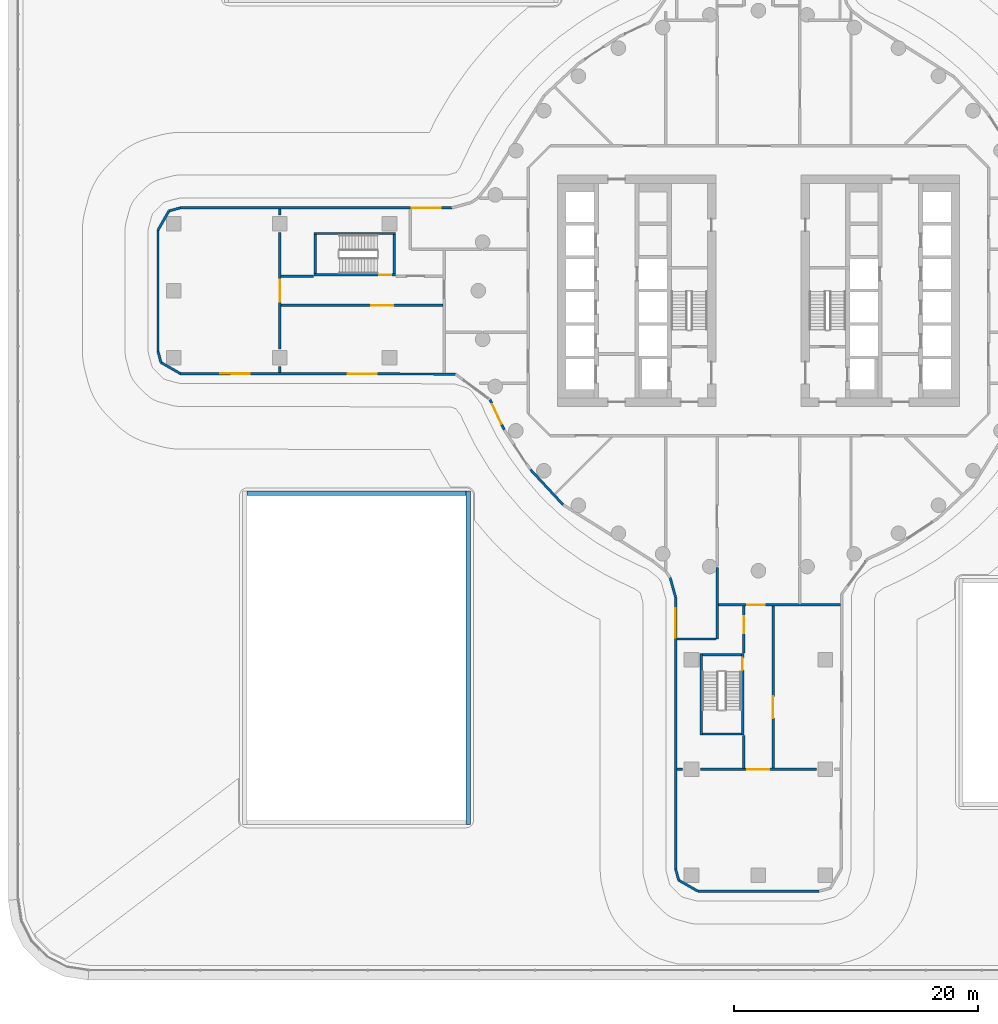
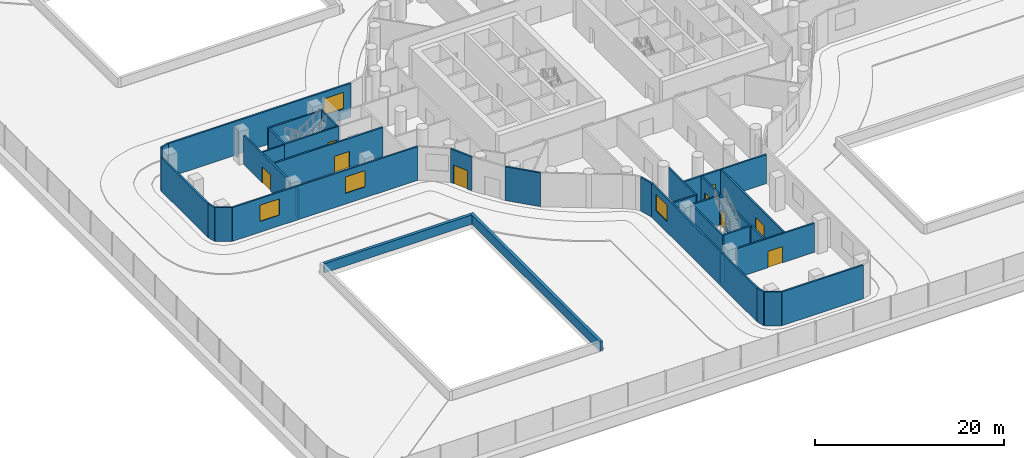
# One storey, part 22 of 37: 37 walls, 9 doors, 4 windows, 13 openings.
"""IFC4 building model written with IfcOpenShell, lengths in metres."""

from ifc_helpers import new_model, si_unit, direction, frame, frame_2d, origin, place, context, subcontext, project, spatial, polyline, rectangle, outline, extrude, material, layer, layer_set, type_object, element, fill, save


model = new_model("IFC4")

# Units and contexts
model_context = context("Model", 3, precision=1e-05, world=origin(), true_north=direction((0.0, 1.0)))
body_context = subcontext(model_context, "Body", "Model", "MODEL_VIEW")
ifc_project = project(units=[si_unit("LENGTHUNIT", "METRE"), si_unit("AREAUNIT", "SQUARE_METRE"), si_unit("VOLUMEUNIT", "CUBIC_METRE"), si_unit("PLANEANGLEUNIT", "RADIAN"), si_unit("MASSUNIT", "GRAM", prefix="KILO")], contexts=[model_context])

# Site, building, storey
site_placement = place(None, origin())
site = spatial("IfcSite", under=ifc_project, at=site_placement, CompositionType="ELEMENT")
building_placement = place(site_placement, origin())
building = spatial("IfcBuilding", under=site, at=building_placement, Name="Tamarind Cross Interchange Tower", CompositionType="ELEMENT")
storey_placement = place(building_placement, frame((0.0, 0.0, 29.5)))
storey = spatial("IfcBuildingStorey", under=building, at=storey_placement, Name="L05", CompositionType="ELEMENT", Elevation=29.5)

# Wall, opening, door
ifc_material_1 = material(Name="Gypsum board partition on steel studs", Category="steel")
ifc_layer_1 = layer(ifc_material_1, 0.199951171875)
ifc_layer_set_1 = layer_set([ifc_layer_1], Name="Gypsum board partition on steel studs")
wall_type_1 = type_object("IfcWallType", Name="Partition 200 mm EI 180", PredefinedType="PARTITIONING", material=ifc_layer_set_1)
wall_1_placement = place(storey_placement, frame((-39.219970703125, -1.199951171875, 0.0), z_axis=(0.0, 0.0, 1.0), x_axis=(1.0, 0.0, 0.0)))
wall_1 = element("IfcWall", 1, at=wall_1_placement, inside=storey, type_object=wall_type_1, Name="Partition L05-005", PredefinedType="PARTITIONING", context=body_context, shape_type="SweptSolid", body=[
    extrude(rectangle(XDim=13.3349609375, YDim=0.199951171875, at=frame_2d((6.66748046875, 0.0))), origin(), (0.0, 0.0, 1.0), 3.760009765625),
])
opening_1_placement = place(wall_1_placement, frame((7.419921875, 0.0, 0.0)))
opening_1 = element("IfcOpeningElement", 2, at=opening_1_placement, cuts=wall_1, Name="Opening D01", PredefinedType="OPENING", context=body_context, shape_type="SweptSolid", body=[
    extrude(rectangle(XDim=1.800048828125, YDim=2.10009765625, at=frame_2d((0.89990234375, 1.050048828125))), frame((0.0, 0.10986328125, 0.0), z_axis=(0.0, -1.0, 0.0), x_axis=(1.0, 0.0, 0.0)), (0.0, 0.0, 1.0), 0.219970703125),
])
ifc_material_2 = material(Name="Fire-resisting door set")
door_type_1 = type_object("IfcDoorType", Name="Interior door 1800 x 2100 FD120S", OperationType="DOUBLE_DOOR_SINGLE_SWING", PredefinedType="DOOR", material=ifc_material_2)
door_1_placement = place(opening_1_placement, frame((1.800048828125, 0.0, 0.0), z_axis=(0.0, 0.0, 1.0), x_axis=(-1.0, 0.0, 0.0)))
door_1 = element("IfcDoor", 3, at=door_1_placement, inside=storey, type_object=door_type_1, Name="Door D01", OperationType="DOUBLE_DOOR_SINGLE_SWING", OverallHeight=2.10009765625, OverallWidth=1.800048828125, PredefinedType="DOOR", context=body_context, shape_type="SweptSolid", body=[
    extrude(rectangle(XDim=1.800048828125, YDim=2.10009765625, at=frame_2d((0.89990234375, 1.050048828125))), frame((0.0, 0.02490234375, 0.0), z_axis=(0.0, -1.0, 0.0), x_axis=(1.0, 0.0, 0.0)), (0.0, 0.0, 1.0), 0.050048828125),
])
fill(opening_1, door_1)

# Walls
wall_2_placement = place(storey_placement, frame((-39.219970703125, 1.199951171875, 0.0), z_axis=(0.0, 0.0, 1.0), x_axis=(1.0, 0.0, 0.0)))
element("IfcWall", 4, at=wall_2_placement, inside=storey, type_object=wall_type_1, Name="Partition L05-008", PredefinedType="PARTITIONING", context=body_context, shape_type="SweptSolid", body=[
    extrude(rectangle(XDim=2.679931640625, YDim=0.199951171875, at=frame_2d((1.33984375, 0.0))), origin(), (0.0, 0.0, 1.0), 3.760009765625),
])
wall_3_placement = place(storey_placement, frame((-6.698974609375, -39.300048828125, 0.0), z_axis=(0.0, 0.0, 1.0), x_axis=(1.0, 0.0, 0.0)))
element("IfcWall", 5, at=wall_3_placement, inside=storey, type_object=wall_type_1, Name="Partition L05-031", PredefinedType="PARTITIONING", context=body_context, shape_type="SweptSolid", body=[
    extrude(rectangle(XDim=0.468994140625, YDim=0.199951171875, at=frame_2d((0.234375, 0.0))), origin(), (0.0, 0.0, 1.0), 3.760009765625),
])

# Wall, opening, door
wall_4_placement = place(storey_placement, frame((-4.77001953125, -39.300048828125, 0.0), z_axis=(0.0, 0.0, 1.0), x_axis=(1.0, 0.0, 0.0)))
wall_4 = element("IfcWall", 6, at=wall_4_placement, inside=storey, type_object=wall_type_1, Name="Partition L05-032", PredefinedType="PARTITIONING", context=body_context, shape_type="SweptSolid", body=[
    extrude(rectangle(XDim=9.5400390625, YDim=0.199951171875, at=frame_2d((4.77001953125, 0.0))), origin(), (0.0, 0.0, 1.0), 3.760009765625),
])
opening_2_placement = place(wall_4_placement, frame((3.8701171875, 0.0, 0.0)))
opening_2 = element("IfcOpeningElement", 7, at=opening_2_placement, cuts=wall_4, Name="Opening D11", PredefinedType="OPENING", context=body_context, shape_type="SweptSolid", body=[
    extrude(rectangle(XDim=1.800048828125, YDim=2.10009765625, at=frame_2d((0.89990234375, 1.050048828125))), frame((0.0, 0.10986328125, 0.0), z_axis=(0.0, -1.0, 0.0), x_axis=(1.0, 0.0, 0.0)), (0.0, 0.0, 1.0), 0.219970703125),
])
door_2_placement = place(opening_2_placement, frame((1.800048828125, 0.0, 0.0), z_axis=(0.0, 0.0, 1.0), x_axis=(-1.0, 0.0, 0.0)))
door_2 = element("IfcDoor", 8, at=door_2_placement, inside=storey, type_object=door_type_1, Name="Door D11", OperationType="DOUBLE_DOOR_SINGLE_SWING", OverallHeight=2.10009765625, OverallWidth=1.800048828125, PredefinedType="DOOR", context=body_context, shape_type="SweptSolid", body=[
    extrude(rectangle(XDim=1.800048828125, YDim=2.10009765625, at=frame_2d((0.89990234375, 1.050048828125))), frame((0.0, 0.02490234375, 0.0), z_axis=(0.0, -1.0, 0.0), x_axis=(1.0, 0.0, 0.0)), (0.0, 0.0, 1.0), 0.050048828125),
])
fill(opening_2, door_2)

# Wall
wall_5_placement = place(storey_placement, frame((-6.698974609375, -28.60009765625, 0.0), z_axis=(0.0, 0.0, 1.0), x_axis=(1.0, 0.0, 0.0)))
element("IfcWall", 9, at=wall_5_placement, inside=storey, type_object=wall_type_1, Name="Partition L05-034", PredefinedType="PARTITIONING", context=body_context, shape_type="SweptSolid", body=[
    extrude(rectangle(XDim=3.2138671875, YDim=0.199951171875, at=frame_2d((1.60693359375, 0.0))), origin(), (0.0, 0.0, 1.0), 3.760009765625),
])

# Wall, opening, door
wall_6_placement = place(storey_placement, frame((-3.31494140625, -25.800048828125, 0.0), z_axis=(0.0, 0.0, 1.0), x_axis=(1.0, 0.0, 0.0)))
wall_6 = element("IfcWall", 10, at=wall_6_placement, inside=storey, type_object=wall_type_1, Name="Partition L05-041", PredefinedType="PARTITIONING", context=body_context, shape_type="SweptSolid", body=[
    extrude(rectangle(XDim=10.056640625, YDim=0.199951171875, at=frame_2d((5.0283203125, 0.0))), origin(), (0.0, 0.0, 1.0), 3.760009765625),
])
opening_3_placement = place(wall_6_placement, frame((2.4150390625, 0.0, 0.0)))
opening_3 = element("IfcOpeningElement", 11, at=opening_3_placement, cuts=wall_6, Name="Opening D16", PredefinedType="OPENING", context=body_context, shape_type="SweptSolid", body=[
    extrude(rectangle(XDim=1.39990234375, YDim=2.10009765625, at=frame_2d((0.699951171875, 1.050048828125))), frame((0.0, 0.10986328125, 0.0), z_axis=(0.0, -1.0, 0.0), x_axis=(1.0, 0.0, 0.0)), (0.0, 0.0, 1.0), 0.219970703125),
])
door_type_2 = type_object("IfcDoorType", Name="Interior door 1400 x 2100 FD120S", OperationType="DOUBLE_DOOR_SINGLE_SWING", PredefinedType="DOOR", material=ifc_material_2)
door_3_placement = place(opening_3_placement, origin())
door_3 = element("IfcDoor", 12, at=door_3_placement, inside=storey, type_object=door_type_2, Name="Door D16", OperationType="DOUBLE_DOOR_SINGLE_SWING", OverallHeight=2.10009765625, OverallWidth=1.39990234375, PredefinedType="DOOR", context=body_context, shape_type="SweptSolid", body=[
    extrude(rectangle(XDim=1.39990234375, YDim=2.10009765625, at=frame_2d((0.699951171875, 1.050048828125))), frame((0.0, 0.02490234375, 0.0), z_axis=(0.0, -1.0, 0.0), x_axis=(1.0, 0.0, 0.0)), (0.0, 0.0, 1.0), 0.050048828125),
])
fill(opening_3, door_3)

# Wall
wall_7_placement = place(storey_placement, frame((-39.300048828125, -6.715087890625, 0.0), z_axis=(0.0, 0.0, 1.0), x_axis=(0.0, 1.0, 0.0)))
element("IfcWall", 13, at=wall_7_placement, inside=storey, type_object=wall_type_1, Name="Partition L05-048", PredefinedType="PARTITIONING", context=body_context, shape_type="SweptSolid", body=[
    extrude(rectangle(XDim=0.485107421875, YDim=0.199951171875, at=frame_2d((0.24267578125, 0.0))), origin(), (0.0, 0.0, 1.0), 3.760009765625),
])

# Wall, opening, door
wall_8_placement = place(storey_placement, frame((-39.300048828125, -4.77001953125, 0.0), z_axis=(0.0, 0.0, 1.0), x_axis=(0.0, 1.0, 0.0)))
wall_8 = element("IfcWall", 14, at=wall_8_placement, inside=storey, type_object=wall_type_1, Name="Partition L05-049", PredefinedType="PARTITIONING", context=body_context, shape_type="SweptSolid", body=[
    extrude(rectangle(XDim=9.5400390625, YDim=0.199951171875, at=frame_2d((4.77001953125, 0.0))), origin(), (0.0, 0.0, 1.0), 3.760009765625),
])
opening_4_placement = place(wall_8_placement, frame((3.8701171875, 0.0, 0.0)))
opening_4 = element("IfcOpeningElement", 15, at=opening_4_placement, cuts=wall_8, Name="Opening D17", PredefinedType="OPENING", context=body_context, shape_type="SweptSolid", body=[
    extrude(rectangle(XDim=1.800048828125, YDim=2.10009765625, at=frame_2d((0.89990234375, 1.050048828125))), frame((0.0, 0.10986328125, 0.0), z_axis=(0.0, -1.0, 0.0), x_axis=(1.0, 0.0, 0.0)), (0.0, 0.0, 1.0), 0.219970703125),
])
door_4_placement = place(opening_4_placement, origin())
door_4 = element("IfcDoor", 16, at=door_4_placement, inside=storey, type_object=door_type_1, Name="Door D17", OperationType="DOUBLE_DOOR_SINGLE_SWING", OverallHeight=2.10009765625, OverallWidth=1.800048828125, PredefinedType="DOOR", context=body_context, shape_type="SweptSolid", body=[
    extrude(rectangle(XDim=1.800048828125, YDim=2.10009765625, at=frame_2d((0.89990234375, 1.050048828125))), frame((0.0, 0.02490234375, 0.0), z_axis=(0.0, -1.0, 0.0), x_axis=(1.0, 0.0, 0.0)), (0.0, 0.0, 1.0), 0.050048828125),
])
fill(opening_4, door_4)

# Walls
wall_9_placement = place(storey_placement, frame((-39.300048828125, 6.22998046875, 0.0), z_axis=(0.0, 0.0, 1.0), x_axis=(0.0, 1.0, 0.0)))
element("IfcWall", 17, at=wall_9_placement, inside=storey, type_object=wall_type_1, Name="Partition L05-050", PredefinedType="PARTITIONING", context=body_context, shape_type="SweptSolid", body=[
    extrude(rectangle(XDim=0.468994140625, YDim=0.199951171875, at=frame_2d((0.234375, 0.0))), origin(), (0.0, 0.0, 1.0), 3.760009765625),
])
wall_10_placement = place(storey_placement, frame((-3.39990234375, -28.60009765625, 0.0), z_axis=(0.0, 0.0, 1.0), x_axis=(0.0, 1.0, 0.0)))
element("IfcWall", 18, at=wall_10_placement, inside=storey, type_object=wall_type_1, Name="Partition L05-058", PredefinedType="PARTITIONING", context=body_context, shape_type="SweptSolid", body=[
    extrude(rectangle(XDim=5.889404296875, YDim=0.199951171875, at=frame_2d((2.94482421875, 0.0))), origin(), (0.0, 0.0, 1.0), 3.760009765625),
])
wall_11_placement = place(storey_placement, frame((-1.199951171875, -39.219970703125, 0.0), z_axis=(0.0, 0.0, 1.0), x_axis=(0.0, 1.0, 0.0)))
element("IfcWall", 19, at=wall_11_placement, inside=storey, type_object=wall_type_1, Name="Partition L05-062", PredefinedType="PARTITIONING", context=body_context, shape_type="SweptSolid", body=[
    extrude(rectangle(XDim=2.679931640625, YDim=0.199951171875, at=frame_2d((1.33984375, 0.0))), origin(), (0.0, 0.0, 1.0), 3.760009765625),
])

# Wall, opening, door
wall_12_placement = place(storey_placement, frame((-1.199951171875, -29.760009765625, 0.0), z_axis=(0.0, 0.0, 1.0), x_axis=(0.0, 1.0, 0.0)))
wall_12 = element("IfcWall", 20, at=wall_12_placement, inside=storey, type_object=wall_type_1, Name="Partition L05-063", PredefinedType="PARTITIONING", context=body_context, shape_type="SweptSolid", body=[
    extrude(rectangle(XDim=3.875, YDim=0.199951171875, at=frame_2d((1.9375, 0.0))), origin(), (0.0, 0.0, 1.0), 3.760009765625),
])
opening_5_placement = place(wall_12_placement, frame((1.64990234375, 0.0, 0.0)))
opening_5 = element("IfcOpeningElement", 21, at=opening_5_placement, cuts=wall_12, Name="Opening D24", PredefinedType="OPENING", context=body_context, shape_type="SweptSolid", body=[
    extrude(rectangle(XDim=1.39990234375, YDim=2.10009765625, at=frame_2d((0.699951171875, 1.050048828125))), frame((0.0, 0.10986328125, 0.0), z_axis=(0.0, -1.0, 0.0), x_axis=(1.0, 0.0, 0.0)), (0.0, 0.0, 1.0), 0.219970703125),
])
door_5_placement = place(opening_5_placement, origin())
door_5 = element("IfcDoor", 22, at=door_5_placement, inside=storey, type_object=door_type_2, Name="Door D24", OperationType="DOUBLE_DOOR_SINGLE_SWING", OverallHeight=2.10009765625, OverallWidth=1.39990234375, PredefinedType="DOOR", context=body_context, shape_type="SweptSolid", body=[
    extrude(rectangle(XDim=1.39990234375, YDim=2.10009765625, at=frame_2d((0.699951171875, 1.050048828125))), frame((0.0, 0.02490234375, 0.0), z_axis=(0.0, -1.0, 0.0), x_axis=(1.0, 0.0, 0.0)), (0.0, 0.0, 1.0), 0.050048828125),
])
fill(opening_5, door_5)

wall_13_placement = place(storey_placement, frame((1.199951171875, -39.219970703125, 0.0), z_axis=(0.0, 0.0, 1.0), x_axis=(0.0, 1.0, 0.0)))
wall_13 = element("IfcWall", 23, at=wall_13_placement, inside=storey, type_object=wall_type_1, Name="Partition L05-065", PredefinedType="PARTITIONING", context=body_context, shape_type="SweptSolid", body=[
    extrude(rectangle(XDim=13.3349609375, YDim=0.199951171875, at=frame_2d((6.66748046875, 0.0))), origin(), (0.0, 0.0, 1.0), 3.760009765625),
])
opening_6_placement = place(wall_13_placement, frame((4.1201171875, 0.0, 0.0)))
opening_6 = element("IfcOpeningElement", 24, at=opening_6_placement, cuts=wall_13, Name="Opening D28", PredefinedType="OPENING", context=body_context, shape_type="SweptSolid", body=[
    extrude(rectangle(XDim=1.800048828125, YDim=2.10009765625, at=frame_2d((0.89990234375, 1.050048828125))), frame((0.0, 0.10986328125, 0.0), z_axis=(0.0, -1.0, 0.0), x_axis=(1.0, 0.0, 0.0)), (0.0, 0.0, 1.0), 0.219970703125),
])
door_6_placement = place(opening_6_placement, frame((1.800048828125, 0.0, 0.0), z_axis=(0.0, 0.0, 1.0), x_axis=(-1.0, 0.0, 0.0)))
door_6 = element("IfcDoor", 25, at=door_6_placement, inside=storey, type_object=door_type_1, Name="Door D28", OperationType="DOUBLE_DOOR_SINGLE_SWING", OverallHeight=2.10009765625, OverallWidth=1.800048828125, PredefinedType="DOOR", context=body_context, shape_type="SweptSolid", body=[
    extrude(rectangle(XDim=1.800048828125, YDim=2.10009765625, at=frame_2d((0.89990234375, 1.050048828125))), frame((0.0, 0.02490234375, 0.0), z_axis=(0.0, -1.0, 0.0), x_axis=(1.0, 0.0, 0.0)), (0.0, 0.0, 1.0), 0.050048828125),
])
fill(opening_6, door_6)

# Walls
ifc_material_3 = material(Name="Precast concrete C40", Category="concrete")
ifc_layer_2 = layer(ifc_material_3, 0.35009765625)
ifc_layer_set_2 = layer_set([ifc_layer_2], Name="Precast concrete C40")
wall_type_2 = type_object("IfcWallType", Name="Podium facade wall", PredefinedType="SOLIDWALL", material=ifc_layer_set_2)
wall_14_placement = place(storey_placement, frame((-42.0, -16.625, 0.0), z_axis=(0.0, 0.0, 1.0), x_axis=(1.0, 0.0, 0.0)))
element("IfcWall", 26, at=wall_14_placement, inside=storey, type_object=wall_type_2, Name="CTW-L05-SWN00", PredefinedType="SOLIDWALL", context=body_context, shape_type="SweptSolid", body=[
    extrude(rectangle(XDim=18.0, YDim=0.35009765625, at=frame_2d((9.0, 0.0))), origin(), (0.0, 0.0, 1.0), 1.199951171875),
])
wall_15_placement = place(storey_placement, frame((-23.824951171875, -43.85009765625, 0.0), z_axis=(0.0, 0.0, 1.0), x_axis=(0.0, 1.0, 0.0)))
element("IfcWall", 27, at=wall_15_placement, inside=storey, type_object=wall_type_2, Name="CTW-L05-SWE00", PredefinedType="SOLIDWALL", context=body_context, shape_type="SweptSolid", body=[
    extrude(rectangle(XDim=27.400146484375, YDim=0.35009765625, at=frame_2d((13.7001953125, 0.0))), origin(), (0.0, 0.0, 1.0), 1.199951171875),
])

# Wall, opening, window
ifc_layer_3 = layer(ifc_material_3, 0.199951171875)
ifc_layer_set_3 = layer_set([ifc_layer_3], Name="Precast concrete C40")
wall_type_3 = type_object("IfcWallType", Name="Refuge level external wall", PredefinedType="SOLIDWALL", material=ifc_layer_set_3)
wall_16_placement = place(storey_placement, frame((-25.181396484375, 6.800048828125, 0.0), z_axis=(0.0, 0.0, 1.0), x_axis=(-1.0, 0.0, 0.0)))
wall_16 = element("IfcWall", 28, at=wall_16_placement, inside=storey, type_object=wall_type_3, Name="RFW-L05-00-0", PredefinedType="SOLIDWALL", context=body_context, shape_type="SweptSolid", body=[
    extrude(rectangle(XDim=22.2998046875, YDim=0.199951171875, at=frame_2d((11.14990234375, 0.0))), origin(), (0.0, 0.0, 1.0), 4.360107421875),
])
opening_7_placement = place(wall_16_placement, frame((0.89990234375, 0.0, 1.39990234375)))
opening_7 = element("IfcOpeningElement", 29, at=opening_7_placement, cuts=wall_16, Name="Opening W3", PredefinedType="OPENING", context=body_context, shape_type="SweptSolid", body=[
    extrude(rectangle(XDim=2.39990234375, YDim=2.10009765625, at=frame_2d((1.199951171875, 1.050048828125))), frame((0.0, 0.10986328125, 0.0), z_axis=(0.0, -1.0, 0.0), x_axis=(1.0, 0.0, 0.0)), (0.0, 0.0, 1.0), 0.219970703125),
])
ifc_material_4 = material(Name="Aluminium and fire-resisting glass", Category="aluminium")
window_type = type_object("IfcWindowType", Name="Refuge rescue window", PartitioningType="DOUBLE_PANEL_VERTICAL", PredefinedType="WINDOW", material=ifc_material_4)
window_1_placement = place(opening_7_placement, origin())
window_1 = element("IfcWindow", 30, at=window_1_placement, inside=storey, type_object=window_type, Name="RSW-L05-00-01", OverallHeight=2.10009765625, OverallWidth=2.39990234375, PartitioningType="SINGLE_PANEL", PredefinedType="WINDOW", context=body_context, shape_type="SweptSolid", body=[
    extrude(rectangle(XDim=2.39990234375, YDim=2.10009765625, at=frame_2d((1.199951171875, 1.050048828125))), frame((0.0, 0.030029296875, 0.0), z_axis=(0.0, -1.0, 0.0), x_axis=(1.0, 0.0, 0.0)), (0.0, 0.0, 1.0), 0.06005859375),
])
fill(opening_7, window_1)

# Walls
wall_17_placement = place(storey_placement, frame((-47.481201171875, 6.800048828125, 0.0), z_axis=(0.0, 0.0, 1.0), x_axis=(-0.96591611198, -0.258855296676, 0.0)))
element("IfcWall", 31, at=wall_17_placement, inside=storey, type_object=wall_type_3, Name="RFW-L05-00-1", PredefinedType="SOLIDWALL", context=body_context, shape_type="SweptSolid", body=[
    extrude(rectangle(XDim=0.955322265625, YDim=0.199951171875, at=frame_2d((0.4775390625, 0.0))), origin(), (0.0, 0.0, 1.0), 4.360107421875),
])
wall_18_placement = place(storey_placement, frame((-48.404052734375, 6.552734375, 0.0), z_axis=(0.0, 0.0, 1.0), x_axis=(-0.496644654848, -0.867953965836, 0.0)))
element("IfcWall", 32, at=wall_18_placement, inside=storey, type_object=wall_type_3, Name="RFW-L05-00-2", PredefinedType="SOLIDWALL", context=body_context, shape_type="SweptSolid", body=[
    extrude(rectangle(XDim=1.8193359375, YDim=0.199951171875, at=frame_2d((0.90966796875, 0.0))), origin(), (0.0, 0.0, 1.0), 4.360107421875),
])
wall_19_placement = place(storey_placement, frame((-49.3076171875, 4.9736328125, 0.0), z_axis=(0.0, 0.0, 1.0), x_axis=(0.0, -1.0, 0.0)))
element("IfcWall", 33, at=wall_19_placement, inside=storey, type_object=wall_type_3, Name="RFW-L05-01-0", PredefinedType="SOLIDWALL", context=body_context, shape_type="SweptSolid", body=[
    extrude(rectangle(XDim=9.947265625, YDim=0.199951171875, at=frame_2d((4.9736328125, 0.0))), origin(), (0.0, 0.0, 1.0), 4.360107421875),
])
wall_20_placement = place(storey_placement, frame((-49.3076171875, -4.9736328125, 0.0), z_axis=(0.0, 0.0, 1.0), x_axis=(0.258855296676, -0.96591611198, 0.0)))
element("IfcWall", 34, at=wall_20_placement, inside=storey, type_object=wall_type_3, Name="RFW-L05-01-1", PredefinedType="SOLIDWALL", context=body_context, shape_type="SweptSolid", body=[
    extrude(rectangle(XDim=0.955322265625, YDim=0.199951171875, at=frame_2d((0.4775390625, 0.0))), origin(), (0.0, 0.0, 1.0), 4.360107421875),
])
wall_21_placement = place(storey_placement, frame((-49.060302734375, -5.896484375, 0.0), z_axis=(0.0, 0.0, 1.0), x_axis=(0.867987059309, -0.496586815041, 0.0)))
element("IfcWall", 35, at=wall_21_placement, inside=storey, type_object=wall_type_3, Name="RFW-L05-01-2", PredefinedType="SOLIDWALL", context=body_context, shape_type="SweptSolid", body=[
    extrude(rectangle(XDim=1.819580078125, YDim=0.199951171875, at=frame_2d((0.90966796875, 0.0))), origin(), (0.0, 0.0, 1.0), 4.360107421875),
])

# Wall, openings, windows
wall_22_placement = place(storey_placement, frame((-47.48095703125, -6.800048828125, 0.0), z_axis=(0.0, 0.0, 1.0), x_axis=(0.999998066603, -0.001966415802, 0.0)))
wall_22 = element("IfcWall", 36, at=wall_22_placement, inside=storey, type_object=wall_type_3, Name="RFW-L05-02-0", PredefinedType="SOLIDWALL", context=body_context, shape_type="SweptSolid", body=[
    extrude(rectangle(XDim=22.59619140625, YDim=0.199951171875, at=frame_2d((11.298095703125, 0.0))), origin(), (0.0, 0.0, 1.0), 4.360107421875),
])
opening_8_placement = place(wall_22_placement, frame((3.300048828125, 0.0, 1.39990234375)))
opening_8 = element("IfcOpeningElement", 37, at=opening_8_placement, cuts=wall_22, Name="Opening W3", PredefinedType="OPENING", context=body_context, shape_type="SweptSolid", body=[
    extrude(rectangle(XDim=2.39990234375, YDim=2.10009765625, at=frame_2d((1.199951171875, 1.050048828125))), frame((0.0, 0.10986328125, 0.0), z_axis=(0.0, -1.0, 0.0), x_axis=(1.0, 0.0, 0.0)), (0.0, 0.0, 1.0), 0.219970703125),
])
opening_9_placement = place(wall_22_placement, frame((13.75, 0.0, 1.39990234375)))
opening_9 = element("IfcOpeningElement", 38, at=opening_9_placement, cuts=wall_22, Name="Opening W3", PredefinedType="OPENING", context=body_context, shape_type="SweptSolid", body=[
    extrude(rectangle(XDim=2.39990234375, YDim=2.10009765625, at=frame_2d((1.199951171875, 1.050048828125))), frame((0.0, 0.10986328125, 0.0), z_axis=(0.0, -1.0, 0.0), x_axis=(1.0, 0.0, 0.0)), (0.0, 0.0, 1.0), 0.219970703125),
])
window_2_placement = place(opening_8_placement, origin())
window_2 = element("IfcWindow", 39, at=window_2_placement, inside=storey, type_object=window_type, Name="RSW-L05-02-01", OverallHeight=2.10009765625, OverallWidth=2.39990234375, PartitioningType="SINGLE_PANEL", PredefinedType="WINDOW", context=body_context, shape_type="SweptSolid", body=[
    extrude(rectangle(XDim=2.39990234375, YDim=2.10009765625, at=frame_2d((1.199951171875, 1.050048828125))), frame((0.0, 0.030029296875, 0.0), z_axis=(0.0, -1.0, 0.0), x_axis=(1.0, 0.0, 0.0)), (0.0, 0.0, 1.0), 0.06005859375),
])
fill(opening_8, window_2)
window_3_placement = place(opening_9_placement, origin())
window_3 = element("IfcWindow", 40, at=window_3_placement, inside=storey, type_object=window_type, Name="RSW-L05-02-02", OverallHeight=2.10009765625, OverallWidth=2.39990234375, PartitioningType="SINGLE_PANEL", PredefinedType="WINDOW", context=body_context, shape_type="SweptSolid", body=[
    extrude(rectangle(XDim=2.39990234375, YDim=2.10009765625, at=frame_2d((1.199951171875, 1.050048828125))), frame((0.0, 0.030029296875, 0.0), z_axis=(0.0, -1.0, 0.0), x_axis=(1.0, 0.0, 0.0)), (0.0, 0.0, 1.0), 0.06005859375),
])
fill(opening_9, window_3)

# Wall, opening, door
wall_23_placement = place(storey_placement, frame((-22.03369140625, -8.9501953125, 0.0), z_axis=(0.0, 0.0, 1.0), x_axis=(0.424181121769, -0.90557737159, 0.0)))
wall_23 = element("IfcWall", 41, at=wall_23_placement, inside=storey, type_object=wall_type_3, Name="RFW-L05-03-1", PredefinedType="SOLIDWALL", context=body_context, shape_type="SweptSolid", body=[
    extrude(rectangle(XDim=2.722412109375, YDim=0.199951171875, at=frame_2d((1.361328125, 0.0))), origin(), (0.0, 0.0, 1.0), 4.360107421875),
])
opening_10_placement = place(wall_23_placement, frame((0.39990234375, 0.0, 0.0)))
opening_10 = element("IfcOpeningElement", 42, at=opening_10_placement, cuts=wall_23, Name="Opening D7", PredefinedType="OPENING", context=body_context, shape_type="SweptSolid", body=[
    extrude(rectangle(XDim=1.800048828125, YDim=2.39990234375, at=frame_2d((0.89990234375, 1.199951171875))), frame((0.0, 0.10986328125, 0.0), z_axis=(0.0, -1.0, 0.0), x_axis=(1.0, 0.0, 0.0)), (0.0, 0.0, 1.0), 0.219970703125),
])
ifc_material_5 = material(Name="Steel FD90", Category="steel")
door_type_3 = type_object("IfcDoorType", Name="Exit passage door", OperationType="DOUBLE_DOOR_SINGLE_SWING", PredefinedType="DOOR", material=ifc_material_5)
door_7_placement = place(opening_10_placement, frame((1.800048828125, 0.0, 0.0), z_axis=(0.0, 0.0, 1.0), x_axis=(-1.0, 0.0, 0.0)))
door_7 = element("IfcDoor", 43, at=door_7_placement, inside=storey, type_object=door_type_3, Name="Exit door to the L05 deck 40", OperationType="DOUBLE_DOOR_SINGLE_SWING", OverallHeight=2.39990234375, OverallWidth=1.800048828125, PredefinedType="DOOR", context=body_context, shape_type="SweptSolid", body=[
    extrude(rectangle(XDim=1.800048828125, YDim=2.39990234375, at=frame_2d((0.89990234375, 1.199951171875))), frame((0.0, 0.02490234375, 0.0), z_axis=(0.0, -1.0, 0.0), x_axis=(1.0, 0.0, 0.0)), (0.0, 0.0, 1.0), 0.050048828125),
])
fill(opening_10, door_7)

# Walls
wall_24_placement = place(storey_placement, frame((-18.715087890625, -14.6962890625, 0.0), z_axis=(0.0, 0.0, 1.0), x_axis=(0.680405826691, -0.732835527935, 0.0)))
element("IfcWall", 44, at=wall_24_placement, inside=storey, type_object=wall_type_3, Name="RFW-L05-03-3", PredefinedType="SOLIDWALL", context=body_context, shape_type="SweptSolid", body=[
    extrude(rectangle(XDim=3.93017578125, YDim=0.199951171875, at=frame_2d((1.965087890625, 0.0))), origin(), (0.0, 0.0, 1.0), 4.360107421875),
])
wall_25_placement = place(storey_placement, frame((-7.25, -23.569091796875, 0.0), z_axis=(0.0, 0.0, 1.0), x_axis=(0.268802114608, -0.963195423153, 0.0)))
element("IfcWall", 45, at=wall_25_placement, inside=storey, type_object=wall_type_3, Name="RFW-L05-03-7", PredefinedType="SOLIDWALL", context=body_context, shape_type="SweptSolid", body=[
    extrude(rectangle(XDim=1.673828125, YDim=0.199951171875, at=frame_2d((0.8369140625, 0.0))), origin(), (0.0, 0.0, 1.0), 4.360107421875),
])

# Wall, opening, window
wall_26_placement = place(storey_placement, frame((-6.800048828125, -25.181396484375, 0.0), z_axis=(0.0, 0.0, 1.0), x_axis=(0.0, -1.0, 0.0)))
wall_26 = element("IfcWall", 46, at=wall_26_placement, inside=storey, type_object=wall_type_3, Name="RFW-L05-04-0", PredefinedType="SOLIDWALL", context=body_context, shape_type="SweptSolid", body=[
    extrude(rectangle(XDim=22.2998046875, YDim=0.199951171875, at=frame_2d((11.14990234375, 0.0))), origin(), (0.0, 0.0, 1.0), 4.360107421875),
])
opening_11_placement = place(wall_26_placement, frame((0.89990234375, 0.0, 1.39990234375)))
opening_11 = element("IfcOpeningElement", 47, at=opening_11_placement, cuts=wall_26, Name="Opening W3", PredefinedType="OPENING", context=body_context, shape_type="SweptSolid", body=[
    extrude(rectangle(XDim=2.39990234375, YDim=2.10009765625, at=frame_2d((1.199951171875, 1.050048828125))), frame((0.0, 0.10986328125, 0.0), z_axis=(0.0, -1.0, 0.0), x_axis=(1.0, 0.0, 0.0)), (0.0, 0.0, 1.0), 0.219970703125),
])
window_4_placement = place(opening_11_placement, origin())
window_4 = element("IfcWindow", 48, at=window_4_placement, inside=storey, type_object=window_type, Name="RSW-L05-04-01", OverallHeight=2.10009765625, OverallWidth=2.39990234375, PartitioningType="SINGLE_PANEL", PredefinedType="WINDOW", context=body_context, shape_type="SweptSolid", body=[
    extrude(rectangle(XDim=2.39990234375, YDim=2.10009765625, at=frame_2d((1.199951171875, 1.050048828125))), frame((0.0, 0.030029296875, 0.0), z_axis=(0.0, -1.0, 0.0), x_axis=(1.0, 0.0, 0.0)), (0.0, 0.0, 1.0), 0.06005859375),
])
fill(opening_11, window_4)

# Walls
wall_27_placement = place(storey_placement, frame((-6.800048828125, -47.481201171875, 0.0), z_axis=(0.0, 0.0, 1.0), x_axis=(0.258855296676, -0.96591611198, 0.0)))
element("IfcWall", 49, at=wall_27_placement, inside=storey, type_object=wall_type_3, Name="RFW-L05-04-1", PredefinedType="SOLIDWALL", context=body_context, shape_type="SweptSolid", body=[
    extrude(rectangle(XDim=0.955322265625, YDim=0.199951171875, at=frame_2d((0.4775390625, 0.0))), origin(), (0.0, 0.0, 1.0), 4.360107421875),
])
wall_28_placement = place(storey_placement, frame((-6.552734375, -48.404052734375, 0.0), z_axis=(0.0, 0.0, 1.0), x_axis=(0.867953965836, -0.496644654848, 0.0)))
element("IfcWall", 50, at=wall_28_placement, inside=storey, type_object=wall_type_3, Name="RFW-L05-04-2", PredefinedType="SOLIDWALL", context=body_context, shape_type="SweptSolid", body=[
    extrude(rectangle(XDim=1.8193359375, YDim=0.199951171875, at=frame_2d((0.90966796875, 0.0))), origin(), (0.0, 0.0, 1.0), 4.360107421875),
])
wall_29_placement = place(storey_placement, frame((-4.9736328125, -49.3076171875, 0.0), z_axis=(0.0, 0.0, 1.0), x_axis=(1.0, 0.0, 0.0)))
element("IfcWall", 51, at=wall_29_placement, inside=storey, type_object=wall_type_3, Name="RFW-L05-05-0", PredefinedType="SOLIDWALL", context=body_context, shape_type="SweptSolid", body=[
    extrude(rectangle(XDim=9.947265625, YDim=0.199951171875, at=frame_2d((4.9736328125, 0.0))), origin(), (0.0, 0.0, 1.0), 4.360107421875),
])

# Wall, opening, door
ifc_material_6 = material(Name="Concrete C40", Category="concrete")
ifc_layer_4 = layer(ifc_material_6, 0.199951171875)
ifc_layer_set_4 = layer_set([ifc_layer_4], Name="Concrete C40")
wall_type_4 = type_object("IfcWallType", Name="Stair shaft wall 200 mm Concrete C40", PredefinedType="SHEAR", material=ifc_layer_set_4)
wall_30_placement = place(storey_placement, frame((-29.800048828125, 1.300048828125, 0.0), z_axis=(0.0, 0.0, 1.0), x_axis=(-1.0, 0.0, 0.0)))
wall_30 = element("IfcWall", 52, at=wall_30_placement, inside=storey, type_object=wall_type_4, Name="Core wall CWL-L05-ST5-H", PredefinedType="SHEAR", context=body_context, shape_type="SweptSolid", body=[
    extrude(rectangle(XDim=6.699951171875, YDim=0.199951171875, at=frame_2d((3.35009765625, 0.0))), origin(), (0.0, 0.0, 1.0), 3.760009765625),
])
opening_12_placement = place(wall_30_placement, frame((0.35009765625, 0.0, 0.0)))
opening_12 = element("IfcOpeningElement", 53, at=opening_12_placement, cuts=wall_30, Name="Opening ST5L05", PredefinedType="OPENING", context=body_context, shape_type="SweptSolid", body=[
    extrude(rectangle(XDim=1.0, YDim=2.10009765625, at=frame_2d((0.5, 1.050048828125))), frame((0.0, 0.10986328125, 0.0), z_axis=(0.0, -1.0, 0.0), x_axis=(1.0, 0.0, 0.0)), (0.0, 0.0, 1.0), 0.219970703125),
])
ifc_material_7 = material(Name="Steel, fire-resisting", Category="steel")
door_type_4 = type_object("IfcDoorType", Name="Core fire door 1000 x 2100 FD90", OperationType="SINGLE_SWING_LEFT", PredefinedType="DOOR", material=ifc_material_7)
door_8_placement = place(opening_12_placement, origin())
door_8 = element("IfcDoor", 54, at=door_8_placement, inside=storey, type_object=door_type_4, Name="L05 stair door ST5", OperationType="SINGLE_SWING_LEFT", OverallHeight=2.10009765625, OverallWidth=1.0, PredefinedType="DOOR", context=body_context, shape_type="SweptSolid", body=[
    extrude(rectangle(XDim=1.0, YDim=2.10009765625, at=frame_2d((0.5, 1.050048828125))), frame((0.0, 0.02490234375, 0.0), z_axis=(0.0, -1.0, 0.0), x_axis=(1.0, 0.0, 0.0)), (0.0, 0.0, 1.0), 0.050048828125),
])
fill(opening_12, door_8)

# Walls
wall_31_placement = place(storey_placement, frame((-29.800048828125, 4.699951171875, 0.0), z_axis=(0.0, 0.0, 1.0), x_axis=(-1.0, 0.0, 0.0)))
element("IfcWall", 55, at=wall_31_placement, inside=storey, type_object=wall_type_4, Name="Core wall CWL-L05-ST5-C", PredefinedType="SHEAR", context=body_context, shape_type="SweptSolid", body=[
    extrude(rectangle(XDim=6.699951171875, YDim=0.199951171875, at=frame_2d((3.35009765625, 0.0))), origin(), (0.0, 0.0, 1.0), 3.760009765625),
])
wall_32_placement = place(storey_placement, frame((-29.89990234375, 4.60009765625, 0.0), z_axis=(0.0, 0.0, 1.0), x_axis=(0.0, -1.0, 0.0)))
element("IfcWall", 56, at=wall_32_placement, inside=storey, type_object=wall_type_4, Name="Core wall CWL-L05-ST5-CE", PredefinedType="SHEAR", context=body_context, shape_type="SweptSolid", body=[
    extrude(rectangle(XDim=3.2001953125, YDim=0.199951171875, at=frame_2d((1.60009765625, 0.0))), origin(), (0.0, 0.0, 1.0), 3.760009765625),
])
wall_33_placement = place(storey_placement, origin())
element("IfcWall", 57, at=wall_33_placement, inside=storey, type_object=wall_type_4, Name="Core wall CWL-L05-ST5-CF", PredefinedType="SHEAR", context=body_context, shape_type="SweptSolid", body=[
    extrude(outline(polyline([(-36.300048828125, 4.60009765625), (-36.5, 4.60009765625), (-36.5, 1.39990234375), (-36.300048828125, 1.39990234375), (-36.300048828125, 4.60009765625)])), origin(), (0.0, 0.0, 1.0), 3.760009765625),
])

# Wall, opening, door
wall_34_placement = place(storey_placement, frame((-1.300048828125, -29.800048828125, 0.0), z_axis=(0.0, 0.0, 1.0), x_axis=(0.0, -1.0, 0.0)))
wall_34 = element("IfcWall", 58, at=wall_34_placement, inside=storey, type_object=wall_type_4, Name="Core wall CWL-L05-ST6-H", PredefinedType="SHEAR", context=body_context, shape_type="SweptSolid", body=[
    extrude(rectangle(XDim=6.699951171875, YDim=0.199951171875, at=frame_2d((3.35009765625, 0.0))), origin(), (0.0, 0.0, 1.0), 3.760009765625),
])
opening_13_placement = place(wall_34_placement, frame((0.35009765625, 0.0, 0.0)))
opening_13 = element("IfcOpeningElement", 59, at=opening_13_placement, cuts=wall_34, Name="Opening ST6L05", PredefinedType="OPENING", context=body_context, shape_type="SweptSolid", body=[
    extrude(rectangle(XDim=1.0, YDim=2.10009765625, at=frame_2d((0.5, 1.050048828125))), frame((0.0, 0.10986328125, 0.0), z_axis=(0.0, -1.0, 0.0), x_axis=(1.0, 0.0, 0.0)), (0.0, 0.0, 1.0), 0.219970703125),
])
door_9_placement = place(opening_13_placement, origin())
door_9 = element("IfcDoor", 60, at=door_9_placement, inside=storey, type_object=door_type_4, Name="L05 stair door ST6", OperationType="SINGLE_SWING_LEFT", OverallHeight=2.10009765625, OverallWidth=1.0, PredefinedType="DOOR", context=body_context, shape_type="SweptSolid", body=[
    extrude(rectangle(XDim=1.0, YDim=2.10009765625, at=frame_2d((0.5, 1.050048828125))), frame((0.0, 0.02490234375, 0.0), z_axis=(0.0, -1.0, 0.0), x_axis=(1.0, 0.0, 0.0)), (0.0, 0.0, 1.0), 0.050048828125),
])
fill(opening_13, door_9)

# Walls
wall_35_placement = place(storey_placement, frame((-4.699951171875, -29.800048828125, 0.0), z_axis=(0.0, 0.0, 1.0), x_axis=(0.0, -1.0, 0.0)))
element("IfcWall", 61, at=wall_35_placement, inside=storey, type_object=wall_type_4, Name="Core wall CWL-L05-ST6-C", PredefinedType="SHEAR", context=body_context, shape_type="SweptSolid", body=[
    extrude(rectangle(XDim=6.699951171875, YDim=0.199951171875, at=frame_2d((3.35009765625, 0.0))), origin(), (0.0, 0.0, 1.0), 3.760009765625),
])
wall_36_placement = place(storey_placement, frame((-4.60009765625, -29.89990234375, 0.0), z_axis=(0.0, 0.0, 1.0), x_axis=(1.0, 0.0, 0.0)))
element("IfcWall", 62, at=wall_36_placement, inside=storey, type_object=wall_type_4, Name="Core wall CWL-L05-ST6-CE", PredefinedType="SHEAR", context=body_context, shape_type="SweptSolid", body=[
    extrude(rectangle(XDim=3.2001953125, YDim=0.199951171875, at=frame_2d((1.60009765625, 0.0))), origin(), (0.0, 0.0, 1.0), 3.760009765625),
])
wall_37_placement = place(storey_placement, origin())
element("IfcWall", 63, at=wall_37_placement, inside=storey, type_object=wall_type_4, Name="Core wall CWL-L05-ST6-CF", PredefinedType="SHEAR", context=body_context, shape_type="SweptSolid", body=[
    extrude(outline(polyline([(-4.60009765625, -36.300048828125), (-4.60009765625, -36.5), (-1.39990234375, -36.5), (-1.39990234375, -36.300048828125), (-4.60009765625, -36.300048828125)])), origin(), (0.0, 0.0, 1.0), 3.760009765625),
])

save(model, "model.ifc")
